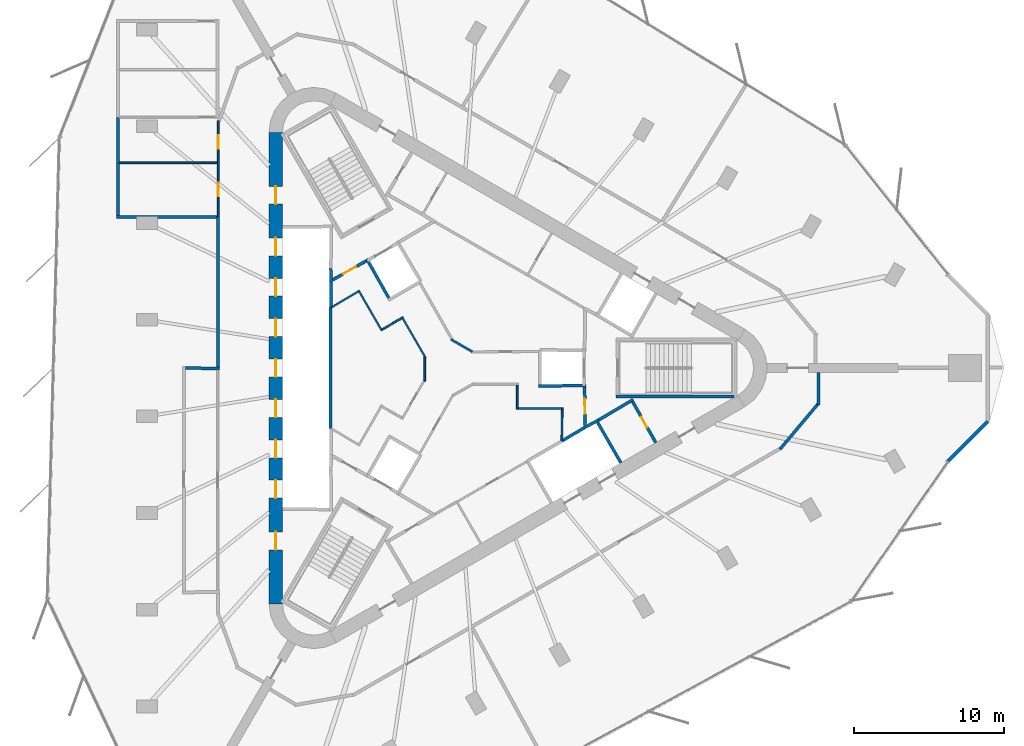
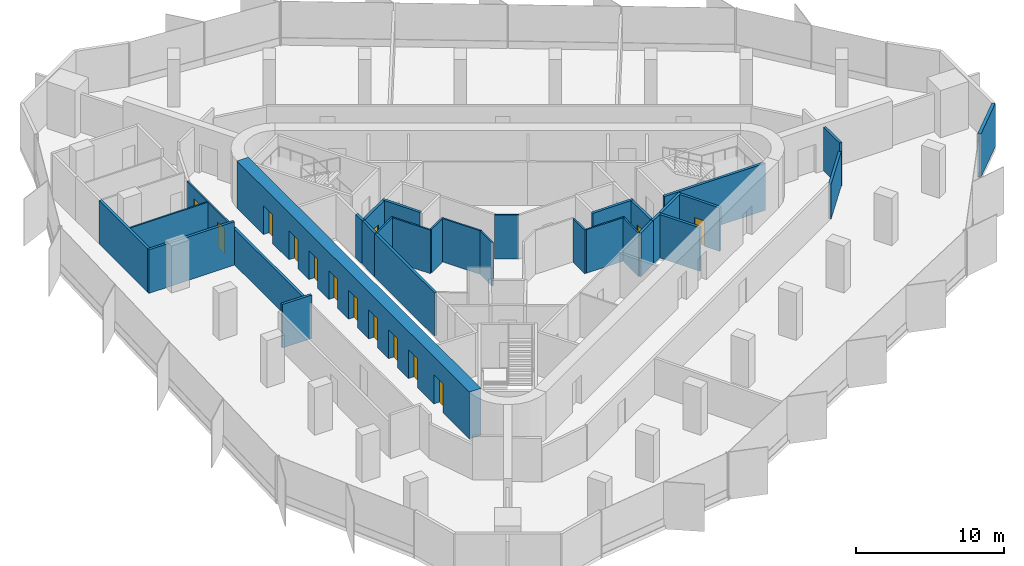
# One storey, part 9 of 13: 32 walls, 14 doors, 14 openings.
"""IFC4 building model written with IfcOpenShell, lengths in metres."""

from ifc_helpers import new_model, si_unit, direction, frame, frame_2d, origin, place, context, subcontext, project, spatial, rectangle, extrude, material, layer, layer_set, type_object, element, fill, save


model = new_model("IFC4")

# Units and contexts
model_context = context("Model", 3, precision=1e-05, world=origin(), true_north=direction((0.0, 1.0)))
body_context = subcontext(model_context, "Body", "Model", "MODEL_VIEW")
ifc_project = project(units=[si_unit("LENGTHUNIT", "METRE"), si_unit("AREAUNIT", "SQUARE_METRE"), si_unit("VOLUMEUNIT", "CUBIC_METRE"), si_unit("PLANEANGLEUNIT", "RADIAN"), si_unit("MASSUNIT", "GRAM", prefix="KILO")], contexts=[model_context])

# Site, building, storey
site_placement = place(None, origin())
site = spatial("IfcSite", under=ifc_project, at=site_placement, CompositionType="ELEMENT")
building_placement = place(site_placement, origin())
building = spatial("IfcBuilding", under=site, at=building_placement, Name="Tanit Gate Tower", CompositionType="ELEMENT")
storey_placement = place(building_placement, frame((0.0, 0.0, 329.89990234375)))
storey = spatial("IfcBuildingStorey", under=building, at=storey_placement, Name="L74", CompositionType="ELEMENT", Elevation=329.89990234375)

# Wall, openings, doors
ifc_material_1 = material(Name="Concrete C40/50", Category="concrete")
ifc_layer_1 = layer(ifc_material_1, 0.89990234375)
ifc_layer_set_1 = layer_set([ifc_layer_1], Name="CORE WALL 900 C40/50")
wall_type_1 = type_object("IfcWallType", Name="CORE WALL 900 C40/50", PredefinedType="SHEAR", material=ifc_layer_set_1)
wall_1_placement = place(storey_placement, frame((-11.64990234375, 15.76171875, 0.0), z_axis=(0.0, 0.0, 1.0), x_axis=(0.0, -1.0, 0.0)))
wall_1 = element("IfcWall", 1, at=wall_1_placement, inside=storey, type_object=wall_type_1, Name="CORE WALL", PredefinedType="SHEAR", context=body_context, shape_type="SweptSolid", body=[
    extrude(rectangle(XDim=31.5234375, YDim=0.89990234375, at=frame_2d((15.76171875, 0.0))), origin(), (0.0, 0.0, 1.0), 3.900146484375),
])
opening_1_placement = place(wall_1_placement, frame((7.061767578125, 0.0, 0.0)))
opening_1 = element("IfcOpeningElement", 2, at=opening_1_placement, cuts=wall_1, Name="Opening LDHL1-S20", PredefinedType="OPENING", context=body_context, shape_type="SweptSolid", body=[
    extrude(rectangle(XDim=1.199951171875, YDim=2.39990234375, at=frame_2d((0.60009765625, 1.199951171875))), frame((0.0, 0.4599609375, 0.0), z_axis=(0.0, -1.0, 0.0), x_axis=(1.0, 0.0, 0.0)), (0.0, 0.0, 1.0), 0.919921875),
])
opening_2_placement = place(wall_1_placement, frame((9.76171875, 0.0, 0.0)))
opening_2 = element("IfcOpeningElement", 3, at=opening_2_placement, cuts=wall_1, Name="Opening LDHL2-S20", PredefinedType="OPENING", context=body_context, shape_type="SweptSolid", body=[
    extrude(rectangle(XDim=1.199951171875, YDim=2.39990234375, at=frame_2d((0.60009765625, 1.199951171875))), frame((0.0, 0.4599609375, 0.0), z_axis=(0.0, -1.0, 0.0), x_axis=(1.0, 0.0, 0.0)), (0.0, 0.0, 1.0), 0.919921875),
])
opening_3_placement = place(wall_1_placement, frame((12.461669921875, 0.0, 0.0)))
opening_3 = element("IfcOpeningElement", 4, at=opening_3_placement, cuts=wall_1, Name="Opening LDHL3-S20", PredefinedType="OPENING", context=body_context, shape_type="SweptSolid", body=[
    extrude(rectangle(XDim=1.199951171875, YDim=2.39990234375, at=frame_2d((0.60009765625, 1.199951171875))), frame((0.0, 0.4599609375, 0.0), z_axis=(0.0, -1.0, 0.0), x_axis=(1.0, 0.0, 0.0)), (0.0, 0.0, 1.0), 0.919921875),
])
opening_4_placement = place(wall_1_placement, frame((15.16162109375, 0.0, 0.0)))
opening_4 = element("IfcOpeningElement", 5, at=opening_4_placement, cuts=wall_1, Name="Opening LDHL4-S20", PredefinedType="OPENING", context=body_context, shape_type="SweptSolid", body=[
    extrude(rectangle(XDim=1.199951171875, YDim=2.39990234375, at=frame_2d((0.60009765625, 1.199951171875))), frame((0.0, 0.4599609375, 0.0), z_axis=(0.0, -1.0, 0.0), x_axis=(1.0, 0.0, 0.0)), (0.0, 0.0, 1.0), 0.919921875),
])
opening_5_placement = place(wall_1_placement, frame((17.86181640625, 0.0, 0.0)))
opening_5 = element("IfcOpeningElement", 6, at=opening_5_placement, cuts=wall_1, Name="Opening LDHL5-S20", PredefinedType="OPENING", context=body_context, shape_type="SweptSolid", body=[
    extrude(rectangle(XDim=1.199951171875, YDim=2.39990234375, at=frame_2d((0.60009765625, 1.199951171875))), frame((0.0, 0.4599609375, 0.0), z_axis=(0.0, -1.0, 0.0), x_axis=(1.0, 0.0, 0.0)), (0.0, 0.0, 1.0), 0.919921875),
])
opening_6_placement = place(wall_1_placement, frame((20.561767578125, 0.0, 0.0)))
opening_6 = element("IfcOpeningElement", 7, at=opening_6_placement, cuts=wall_1, Name="Opening LDHL6-S20", PredefinedType="OPENING", context=body_context, shape_type="SweptSolid", body=[
    extrude(rectangle(XDim=1.199951171875, YDim=2.39990234375, at=frame_2d((0.60009765625, 1.199951171875))), frame((0.0, 0.4599609375, 0.0), z_axis=(0.0, -1.0, 0.0), x_axis=(1.0, 0.0, 0.0)), (0.0, 0.0, 1.0), 0.919921875),
])
opening_7_placement = place(wall_1_placement, frame((23.26171875, 0.0, 0.0)))
opening_7 = element("IfcOpeningElement", 8, at=opening_7_placement, cuts=wall_1, Name="Opening LDHL7-S20", PredefinedType="OPENING", context=body_context, shape_type="SweptSolid", body=[
    extrude(rectangle(XDim=1.199951171875, YDim=2.39990234375, at=frame_2d((0.60009765625, 1.199951171875))), frame((0.0, 0.4599609375, 0.0), z_axis=(0.0, -1.0, 0.0), x_axis=(1.0, 0.0, 0.0)), (0.0, 0.0, 1.0), 0.919921875),
])
opening_8_placement = place(wall_1_placement, frame((3.61181640625, 0.0, 0.0)))
opening_8 = element("IfcOpeningElement", 9, at=opening_8_placement, cuts=wall_1, Name="Opening F12-S20-FL2", PredefinedType="OPENING", context=body_context, shape_type="SweptSolid", body=[
    extrude(rectangle(XDim=1.199951171875, YDim=2.39990234375, at=frame_2d((0.60009765625, 1.199951171875))), frame((0.0, 0.4599609375, 0.0), z_axis=(0.0, -1.0, 0.0), x_axis=(1.0, 0.0, 0.0)), (0.0, 0.0, 1.0), 0.919921875),
])
opening_9_placement = place(wall_1_placement, frame((26.711669921875, 0.0, 0.0)))
opening_9 = element("IfcOpeningElement", 10, at=opening_9_placement, cuts=wall_1, Name="Opening F12-S20-S3", PredefinedType="OPENING", context=body_context, shape_type="SweptSolid", body=[
    extrude(rectangle(XDim=1.199951171875, YDim=2.39990234375, at=frame_2d((0.60009765625, 1.199951171875))), frame((0.0, 0.4599609375, 0.0), z_axis=(0.0, -1.0, 0.0), x_axis=(1.0, 0.0, 0.0)), (0.0, 0.0, 1.0), 0.919921875),
])
ifc_material_2 = material(Name="Fire-rated steel door leaf", Category="steel")
door_type_1 = type_object("IfcDoorType", Name="INT-DOOR-FIRE-LOBBY-1200", OperationType="NOTDEFINED", PredefinedType="USERDEFINED", material=ifc_material_2)
door_1_placement = place(opening_8_placement, origin())
door_1 = element("IfcDoor", 11, at=door_1_placement, inside=storey, type_object=door_type_1, Name="Door F12-S20-FL2", ObjectType="FIRE DOOR", OperationType="SINGLE_SWING_LEFT", OverallHeight=2.39990234375, OverallWidth=1.199951171875, PredefinedType="USERDEFINED", context=body_context, shape_type="SweptSolid", body=[
    extrude(rectangle(XDim=1.199951171875, YDim=2.39990234375, at=frame_2d((0.60009765625, 1.199951171875))), frame((0.0, 0.02490234375, 0.0), z_axis=(0.0, -1.0, 0.0), x_axis=(1.0, 0.0, 0.0)), (0.0, 0.0, 1.0), 0.050048828125),
])
fill(opening_8, door_1)
door_2_placement = place(opening_9_placement, origin())
door_2 = element("IfcDoor", 12, at=door_2_placement, inside=storey, type_object=door_type_1, Name="Door F12-S20-S3", ObjectType="FIRE DOOR", OperationType="SINGLE_SWING_RIGHT", OverallHeight=2.39990234375, OverallWidth=1.199951171875, PredefinedType="USERDEFINED", context=body_context, shape_type="SweptSolid", body=[
    extrude(rectangle(XDim=1.199951171875, YDim=2.39990234375, at=frame_2d((0.60009765625, 1.199951171875))), frame((0.0, 0.02490234375, 0.0), z_axis=(0.0, -1.0, 0.0), x_axis=(1.0, 0.0, 0.0)), (0.0, 0.0, 1.0), 0.050048828125),
])
fill(opening_9, door_2)
ifc_material_3 = material(Name="Stainless steel sliding door leaf", Category="steel")
door_type_2 = type_object("IfcDoorType", Name="INT-DOOR-LANDING-1200", OperationType="NOTDEFINED", PredefinedType="USERDEFINED", material=ifc_material_3)
door_3_placement = place(opening_1_placement, origin())
door_3 = element("IfcDoor", 13, at=door_3_placement, inside=storey, type_object=door_type_2, Name="Door LDHL1-S20", ObjectType="LANDING DOOR", OperationType="SLIDING_TO_LEFT", OverallHeight=2.39990234375, OverallWidth=1.199951171875, PredefinedType="USERDEFINED", context=body_context, shape_type="SweptSolid", body=[
    extrude(rectangle(XDim=1.199951171875, YDim=2.39990234375, at=frame_2d((0.60009765625, 1.199951171875))), frame((0.0, 0.02490234375, 0.0), z_axis=(0.0, -1.0, 0.0), x_axis=(1.0, 0.0, 0.0)), (0.0, 0.0, 1.0), 0.050048828125),
])
fill(opening_1, door_3)
door_4_placement = place(opening_2_placement, origin())
door_4 = element("IfcDoor", 14, at=door_4_placement, inside=storey, type_object=door_type_2, Name="Door LDHL2-S20", ObjectType="LANDING DOOR", OperationType="SLIDING_TO_LEFT", OverallHeight=2.39990234375, OverallWidth=1.199951171875, PredefinedType="USERDEFINED", context=body_context, shape_type="SweptSolid", body=[
    extrude(rectangle(XDim=1.199951171875, YDim=2.39990234375, at=frame_2d((0.60009765625, 1.199951171875))), frame((0.0, 0.02490234375, 0.0), z_axis=(0.0, -1.0, 0.0), x_axis=(1.0, 0.0, 0.0)), (0.0, 0.0, 1.0), 0.050048828125),
])
fill(opening_2, door_4)
door_5_placement = place(opening_3_placement, origin())
door_5 = element("IfcDoor", 15, at=door_5_placement, inside=storey, type_object=door_type_2, Name="Door LDHL3-S20", ObjectType="LANDING DOOR", OperationType="SLIDING_TO_LEFT", OverallHeight=2.39990234375, OverallWidth=1.199951171875, PredefinedType="USERDEFINED", context=body_context, shape_type="SweptSolid", body=[
    extrude(rectangle(XDim=1.199951171875, YDim=2.39990234375, at=frame_2d((0.60009765625, 1.199951171875))), frame((0.0, 0.02490234375, 0.0), z_axis=(0.0, -1.0, 0.0), x_axis=(1.0, 0.0, 0.0)), (0.0, 0.0, 1.0), 0.050048828125),
])
fill(opening_3, door_5)
door_6_placement = place(opening_4_placement, origin())
door_6 = element("IfcDoor", 16, at=door_6_placement, inside=storey, type_object=door_type_2, Name="Door LDHL4-S20", ObjectType="LANDING DOOR", OperationType="SLIDING_TO_LEFT", OverallHeight=2.39990234375, OverallWidth=1.199951171875, PredefinedType="USERDEFINED", context=body_context, shape_type="SweptSolid", body=[
    extrude(rectangle(XDim=1.199951171875, YDim=2.39990234375, at=frame_2d((0.60009765625, 1.199951171875))), frame((0.0, 0.02490234375, 0.0), z_axis=(0.0, -1.0, 0.0), x_axis=(1.0, 0.0, 0.0)), (0.0, 0.0, 1.0), 0.050048828125),
])
fill(opening_4, door_6)
door_7_placement = place(opening_5_placement, origin())
door_7 = element("IfcDoor", 17, at=door_7_placement, inside=storey, type_object=door_type_2, Name="Door LDHL5-S20", ObjectType="LANDING DOOR", OperationType="SLIDING_TO_LEFT", OverallHeight=2.39990234375, OverallWidth=1.199951171875, PredefinedType="USERDEFINED", context=body_context, shape_type="SweptSolid", body=[
    extrude(rectangle(XDim=1.199951171875, YDim=2.39990234375, at=frame_2d((0.60009765625, 1.199951171875))), frame((0.0, 0.02490234375, 0.0), z_axis=(0.0, -1.0, 0.0), x_axis=(1.0, 0.0, 0.0)), (0.0, 0.0, 1.0), 0.050048828125),
])
fill(opening_5, door_7)
door_8_placement = place(opening_6_placement, origin())
door_8 = element("IfcDoor", 18, at=door_8_placement, inside=storey, type_object=door_type_2, Name="Door LDHL6-S20", ObjectType="LANDING DOOR", OperationType="SLIDING_TO_LEFT", OverallHeight=2.39990234375, OverallWidth=1.199951171875, PredefinedType="USERDEFINED", context=body_context, shape_type="SweptSolid", body=[
    extrude(rectangle(XDim=1.199951171875, YDim=2.39990234375, at=frame_2d((0.60009765625, 1.199951171875))), frame((0.0, 0.02490234375, 0.0), z_axis=(0.0, -1.0, 0.0), x_axis=(1.0, 0.0, 0.0)), (0.0, 0.0, 1.0), 0.050048828125),
])
fill(opening_6, door_8)
door_9_placement = place(opening_7_placement, origin())
door_9 = element("IfcDoor", 19, at=door_9_placement, inside=storey, type_object=door_type_2, Name="Door LDHL7-S20", ObjectType="LANDING DOOR", OperationType="SLIDING_TO_LEFT", OverallHeight=2.39990234375, OverallWidth=1.199951171875, PredefinedType="USERDEFINED", context=body_context, shape_type="SweptSolid", body=[
    extrude(rectangle(XDim=1.199951171875, YDim=2.39990234375, at=frame_2d((0.60009765625, 1.199951171875))), frame((0.0, 0.02490234375, 0.0), z_axis=(0.0, -1.0, 0.0), x_axis=(1.0, 0.0, 0.0)), (0.0, 0.0, 1.0), 0.050048828125),
])
fill(opening_7, door_9)

# Walls
ifc_material_4 = material(Name="Concrete C30/37 with bronze anodised aluminium cladding", Category="concrete")
ifc_layer_2 = layer(ifc_material_4, 0.239990234375)
ifc_layer_set_2 = layer_set([ifc_layer_2], Name="Facade wall bronze clad 240")
wall_type_2 = type_object("IfcWallType", Name="Facade wall bronze clad 240", PredefinedType="SOLIDWALL", material=ifc_layer_set_2)
wall_2_placement = place(storey_placement, frame((33.29638671875, -6.238037109375, 0.0), z_axis=(0.0, 0.0, 1.0), x_axis=(0.707106781187, 0.707106781187, 0.0)))
element("IfcWall", 20, at=wall_2_placement, inside=storey, type_object=wall_type_2, Name="Bronze-clad facade wall L74 E.arc1", PredefinedType="SOLIDWALL", context=body_context, shape_type="SweptSolid", body=[
    extrude(rectangle(XDim=3.75341796875, YDim=0.239990234375, at=frame_2d((1.876708984375, 0.0))), origin(), (0.0, 0.0, 1.0), 3.60009765625),
])
ifc_material_5 = material(Name="Fire-rated gypsum board partition")
ifc_layer_3 = layer(ifc_material_5, 0.199951171875)
ifc_layer_set_3 = layer_set([ifc_layer_3], Name="INT-WALL-COMPARTMENT")
wall_type_3 = type_object("IfcWallType", Name="INT-WALL-COMPARTMENT", PredefinedType="PARTITIONING", material=ifc_layer_set_3)
wall_3_placement = place(storey_placement, frame((12.244873046875, -2.10888671875, 0.0), z_axis=(0.0, 0.0, 1.0), x_axis=(-0.860414880418, -0.509594185166, 0.0)))
element("IfcWall", 21, at=wall_3_placement, inside=storey, type_object=wall_type_3, Name="Wall Compartment W057", PredefinedType="PARTITIONING", context=body_context, shape_type="SweptSolid", body=[
    extrude(rectangle(XDim=2.7001953125, YDim=0.199951171875, at=frame_2d((1.35009765625, 0.0))), origin(), (0.0, 0.0, 1.0), 3.60009765625),
])

# Wall, opening, door
wall_4_placement = place(storey_placement, frame((13.758056640625, -4.989501953125, 0.0), z_axis=(0.0, 0.0, 1.0), x_axis=(-0.491993409184, 0.87059892334, 0.0)))
wall_4 = element("IfcWall", 22, at=wall_4_placement, inside=storey, type_object=wall_type_3, Name="Wall Compartment W058", PredefinedType="PARTITIONING", context=body_context, shape_type="SweptSolid", body=[
    extrude(rectangle(XDim=3.150146484375, YDim=0.199951171875, at=frame_2d((1.5751953125, 0.0))), origin(), (0.0, 0.0, 1.0), 3.60009765625),
])
opening_10_placement = place(wall_4_placement, frame((1.175048828125, 0.0, 0.0)))
opening_10 = element("IfcOpeningElement", 23, at=opening_10_placement, cuts=wall_4, Name="Opening R08-S20-17", PredefinedType="OPENING", context=body_context, shape_type="SweptSolid", body=[
    extrude(rectangle(XDim=0.800048828125, YDim=2.10009765625, at=frame_2d((0.39990234375, 1.050048828125))), frame((0.0, 0.10986328125, 0.0), z_axis=(0.0, -1.0, 0.0), x_axis=(1.0, 0.0, 0.0)), (0.0, 0.0, 1.0), 0.219970703125),
])
ifc_material_6 = material(Name="Timber door leaf", Category="wood")
door_type_3 = type_object("IfcDoorType", Name="INT-DOOR-RISER-800", OperationType="NOTDEFINED", PredefinedType="USERDEFINED", material=ifc_material_6)
door_10_placement = place(opening_10_placement, origin())
door_10 = element("IfcDoor", 24, at=door_10_placement, inside=storey, type_object=door_type_3, Name="Door R08-S20-17", ObjectType="FIRE DOOR", OperationType="SINGLE_SWING_RIGHT", OverallHeight=2.10009765625, OverallWidth=0.800048828125, PredefinedType="USERDEFINED", context=body_context, shape_type="SweptSolid", body=[
    extrude(rectangle(XDim=0.800048828125, YDim=2.10009765625, at=frame_2d((0.39990234375, 1.050048828125))), frame((0.0, 0.02490234375, 0.0), z_axis=(0.0, -1.0, 0.0), x_axis=(1.0, 0.0, 0.0)), (0.0, 0.0, 1.0), 0.050048828125),
])
fill(opening_10, door_10)

wall_5_placement = place(storey_placement, frame((9.02880859375, -3.850830078125, 0.0), z_axis=(0.0, 0.0, 1.0), x_axis=(-0.010783593937, 0.99994185536, 0.0)))
wall_5 = element("IfcWall", 25, at=wall_5_placement, inside=storey, type_object=wall_type_3, Name="Wall Compartment W060", PredefinedType="PARTITIONING", context=body_context, shape_type="SweptSolid", body=[
    extrude(rectangle(XDim=2.5810546875, YDim=0.199951171875, at=frame_2d((1.29052734375, 0.0))), origin(), (0.0, 0.0, 1.0), 3.60009765625),
])
opening_11_placement = place(wall_5_placement, frame((0.79052734375, 0.0, 0.0)))
opening_11 = element("IfcOpeningElement", 26, at=opening_11_placement, cuts=wall_5, Name="Opening F10-S20-02", PredefinedType="OPENING", context=body_context, shape_type="SweptSolid", body=[
    extrude(rectangle(XDim=1.0, YDim=2.10009765625, at=frame_2d((0.5, 1.050048828125))), frame((0.0, 0.10986328125, 0.0), z_axis=(0.0, -1.0, 0.0), x_axis=(1.0, 0.0, 0.0)), (0.0, 0.0, 1.0), 0.219970703125),
])
ifc_material_7 = material(Name="Fire-rated steel door leaf", Category="steel")
door_type_4 = type_object("IfcDoorType", Name="INT-DOOR-FIRE-1000", OperationType="NOTDEFINED", PredefinedType="USERDEFINED", material=ifc_material_7)
door_11_placement = place(opening_11_placement, origin())
door_11 = element("IfcDoor", 27, at=door_11_placement, inside=storey, type_object=door_type_4, Name="Door F10-S20-02", ObjectType="FIRE DOOR", OperationType="SINGLE_SWING_RIGHT", OverallHeight=2.10009765625, OverallWidth=1.0, PredefinedType="USERDEFINED", context=body_context, shape_type="SweptSolid", body=[
    extrude(rectangle(XDim=1.0, YDim=2.10009765625, at=frame_2d((0.5, 1.050048828125))), frame((0.0, 0.02490234375, 0.0), z_axis=(0.0, -1.0, 0.0), x_axis=(1.0, 0.0, 0.0)), (0.0, 0.0, 1.0), 0.050048828125),
])
fill(opening_11, door_11)

wall_6_placement = place(storey_placement, frame((-5.600341796875, 7.16015625, 0.0), z_axis=(0.0, 0.0, 1.0), x_axis=(-0.871363259478, -0.490638431059, 0.0)))
wall_6 = element("IfcWall", 28, at=wall_6_placement, inside=storey, type_object=wall_type_3, Name="Wall Compartment W062", PredefinedType="PARTITIONING", context=body_context, shape_type="SweptSolid", body=[
    extrude(rectangle(XDim=2.5810546875, YDim=0.199951171875, at=frame_2d((1.29052734375, 0.0))), origin(), (0.0, 0.0, 1.0), 3.60009765625),
])
opening_12_placement = place(wall_6_placement, frame((0.79052734375, 0.0, 0.0)))
opening_12 = element("IfcOpeningElement", 29, at=opening_12_placement, cuts=wall_6, Name="Opening F10-S20-05", PredefinedType="OPENING", context=body_context, shape_type="SweptSolid", body=[
    extrude(rectangle(XDim=1.0, YDim=2.10009765625, at=frame_2d((0.5, 1.050048828125))), frame((0.0, 0.10986328125, 0.0), z_axis=(0.0, -1.0, 0.0), x_axis=(1.0, 0.0, 0.0)), (0.0, 0.0, 1.0), 0.219970703125),
])
door_12_placement = place(opening_12_placement, origin())
door_12 = element("IfcDoor", 30, at=door_12_placement, inside=storey, type_object=door_type_4, Name="Door F10-S20-05", ObjectType="FIRE DOOR", OperationType="SINGLE_SWING_RIGHT", OverallHeight=2.10009765625, OverallWidth=1.0, PredefinedType="USERDEFINED", context=body_context, shape_type="SweptSolid", body=[
    extrude(rectangle(XDim=1.0, YDim=2.10009765625, at=frame_2d((0.5, 1.050048828125))), frame((0.0, 0.02490234375, 0.0), z_axis=(0.0, -1.0, 0.0), x_axis=(1.0, 0.0, 0.0)), (0.0, 0.0, 1.0), 0.050048828125),
])
fill(opening_12, door_12)

# Walls
wall_7_placement = place(storey_placement, frame((-15.39990234375, -0.03125, 0.0), z_axis=(0.0, 0.0, 1.0), x_axis=(-0.999914782125, 0.013054826261, 0.0)))
element("IfcWall", 31, at=wall_7_placement, inside=storey, type_object=wall_type_3, Name="Wall Compartment W086", PredefinedType="PARTITIONING", context=body_context, shape_type="SweptSolid", body=[
    extrude(rectangle(XDim=2.30029296875, YDim=0.199951171875, at=frame_2d((1.150146484375, 0.0))), origin(), (0.0, 0.0, 1.0), 3.60009765625),
])
wall_8_placement = place(storey_placement, frame((-15.5, 10.199951171875, 0.0), z_axis=(0.0, 0.0, 1.0), x_axis=(0.0, -1.0, 0.0)))
element("IfcWall", 32, at=wall_8_placement, inside=storey, type_object=wall_type_3, Name="Wall Compartment W090", PredefinedType="PARTITIONING", context=body_context, shape_type="SweptSolid", body=[
    extrude(rectangle(XDim=10.1298828125, YDim=0.199951171875, at=frame_2d((5.06494140625, 0.0))), origin(), (0.0, 0.0, 1.0), 2.97021484375),
])
wall_9_placement = place(storey_placement, frame((24.647705078125, -2.46240234375, 0.0), z_axis=(0.0, 0.0, 1.0), x_axis=(-0.012757232068, 0.999918623204, 0.0)))
element("IfcWall", 33, at=wall_9_placement, inside=storey, type_object=wall_type_3, Name="Wall Compartment W102", PredefinedType="PARTITIONING", context=body_context, shape_type="SweptSolid", body=[
    extrude(rectangle(XDim=2.16259765625, YDim=0.199951171875, at=frame_2d((1.081298828125, 0.0))), origin(), (0.0, 0.0, 1.0), 3.60009765625),
])
wall_10_placement = place(storey_placement, frame((22.05419921875, -5.435302734375, 0.0), z_axis=(0.0, 0.0, 1.0), x_axis=(0.642790979996, 0.766041615081, 0.0)))
element("IfcWall", 34, at=wall_10_placement, inside=storey, type_object=wall_type_3, Name="Wall Compartment W103", PredefinedType="PARTITIONING", context=body_context, shape_type="SweptSolid", body=[
    extrude(rectangle(XDim=3.9833984375, YDim=0.199951171875, at=frame_2d((1.99169921875, 0.0))), origin(), (0.0, 0.0, 1.0), 2.880126953125),
])
wall_11_placement = place(storey_placement, frame((-22.199951171875, 16.76171875, 0.0), z_axis=(0.0, 0.0, 1.0), x_axis=(0.0, -1.0, 0.0)))
element("IfcWall", 35, at=wall_11_placement, inside=storey, type_object=wall_type_3, Name="Wall Compartment W114", PredefinedType="PARTITIONING", context=body_context, shape_type="SweptSolid", body=[
    extrude(rectangle(XDim=6.561767578125, YDim=0.199951171875, at=frame_2d((3.28076171875, 0.0))), origin(), (0.0, 0.0, 1.0), 3.60009765625),
])
wall_12_placement = place(storey_placement, frame((-15.60009765625, 10.10009765625, 0.0), z_axis=(0.0, 0.0, 1.0), x_axis=(-1.0, 0.0, 0.0)))
element("IfcWall", 36, at=wall_12_placement, inside=storey, type_object=wall_type_3, Name="Wall Compartment W113", PredefinedType="PARTITIONING", context=body_context, shape_type="SweptSolid", body=[
    extrude(rectangle(XDim=6.699951171875, YDim=0.199951171875, at=frame_2d((3.35009765625, 0.0))), origin(), (0.0, 0.0, 1.0), 3.60009765625),
])
ifc_material_8 = material(Name="Gypsum board partition")
ifc_layer_4 = layer(ifc_material_8, 0.1201171875)
ifc_layer_set_4 = layer_set([ifc_layer_4], Name="INT-WALL-PARTITION")
wall_type_4 = type_object("IfcWallType", Name="INT-WALL-PARTITION", PredefinedType="PARTITIONING", material=ifc_layer_set_4)
wall_13_placement = place(storey_placement, frame((4.5, -2.760009765625, 0.0), z_axis=(0.0, 0.0, 1.0), x_axis=(0.0, 1.0, 0.0)))
element("IfcWall", 37, at=wall_13_placement, inside=storey, type_object=wall_type_4, Name="Wall Partition W071", PredefinedType="PARTITIONING", context=body_context, shape_type="SweptSolid", body=[
    extrude(rectangle(XDim=1.625, YDim=0.1201171875, at=frame_2d((0.8125, 0.0))), origin(), (0.0, 0.0, 1.0), 3.60009765625),
])
wall_14_placement = place(storey_placement, frame((7.56005859375, -2.699951171875, 0.0), z_axis=(0.0, 0.0, 1.0), x_axis=(-1.0, 0.0, 0.0)))
element("IfcWall", 38, at=wall_14_placement, inside=storey, type_object=wall_type_4, Name="Wall Partition W072", PredefinedType="PARTITIONING", context=body_context, shape_type="SweptSolid", body=[
    extrude(rectangle(XDim=3.0, YDim=0.1201171875, at=frame_2d((1.5, 0.0))), origin(), (0.0, 0.0, 1.0), 3.60009765625),
])
wall_15_placement = place(storey_placement, frame((7.474609375, -4.864501953125, 0.0), z_axis=(0.0, 0.0, 1.0), x_axis=(0.011716133148, 0.999931363757, 0.0)))
element("IfcWall", 39, at=wall_15_placement, inside=storey, type_object=wall_type_4, Name="Wall Partition W073", PredefinedType="PARTITIONING", context=body_context, shape_type="SweptSolid", body=[
    extrude(rectangle(XDim=2.104736328125, YDim=0.1201171875, at=frame_2d((1.05224609375, 0.0))), origin(), (0.0, 0.0, 1.0), 3.60009765625),
])
wall_16_placement = place(storey_placement, frame((-6.03662109375, 5.17578125, 0.0), z_axis=(0.0, 0.0, 1.0), x_axis=(-0.860106072674, -0.510115225953, 0.0)))
element("IfcWall", 40, at=wall_16_placement, inside=storey, type_object=wall_type_4, Name="Wall Partition W074", PredefinedType="PARTITIONING", context=body_context, shape_type="SweptSolid", body=[
    extrude(rectangle(XDim=2.224609375, YDim=0.1201171875, at=frame_2d((1.1123046875, 0.0))), origin(), (0.0, 0.0, 1.0), 3.60009765625),
])
wall_17_placement = place(storey_placement, frame((-4.558349609375, 2.4951171875, 0.0), z_axis=(0.0, 0.0, 1.0), x_axis=(-0.499990139034, 0.866031096941, 0.0)))
element("IfcWall", 41, at=wall_17_placement, inside=storey, type_object=wall_type_4, Name="Wall Partition W075", PredefinedType="PARTITIONING", context=body_context, shape_type="SweptSolid", body=[
    extrude(rectangle(XDim=3.0, YDim=0.1201171875, at=frame_2d((1.5, 0.0))), origin(), (0.0, 0.0, 1.0), 3.60009765625),
])
wall_18_placement = place(storey_placement, frame((-3.12890625, 3.3896484375, 0.0), z_axis=(0.0, 0.0, 1.0), x_axis=(-0.866053003207, -0.499952193351, 0.0)))
element("IfcWall", 42, at=wall_18_placement, inside=storey, type_object=wall_type_4, Name="Wall Partition W076", PredefinedType="PARTITIONING", context=body_context, shape_type="SweptSolid", body=[
    extrude(rectangle(XDim=1.625244140625, YDim=0.1201171875, at=frame_2d((0.8125, 0.0))), origin(), (0.0, 0.0, 1.0), 3.60009765625),
])
wall_19_placement = place(storey_placement, frame((-1.63671875, 0.68505859375, 0.0), z_axis=(0.0, 0.0, 1.0), x_axis=(-0.500006252586, 0.866021793822, 0.0)))
element("IfcWall", 43, at=wall_19_placement, inside=storey, type_object=wall_type_4, Name="Wall Partition W077", PredefinedType="PARTITIONING", context=body_context, shape_type="SweptSolid", body=[
    extrude(rectangle(XDim=3.0283203125, YDim=0.1201171875, at=frame_2d((1.51416015625, 0.0))), origin(), (0.0, 0.0, 1.0), 3.60009765625),
])
wall_20_placement = place(storey_placement, frame((-1.688720703125, -0.87890625, 0.0), z_axis=(0.0, 0.0, 1.0), x_axis=(0.0, 1.0, 0.0)))
element("IfcWall", 44, at=wall_20_placement, inside=storey, type_object=wall_type_4, Name="Wall Partition W078", PredefinedType="PARTITIONING", context=body_context, shape_type="SweptSolid", body=[
    extrude(rectangle(XDim=1.63525390625, YDim=0.1201171875, at=frame_2d((0.817626953125, 0.0))), origin(), (0.0, 0.0, 1.0), 3.60009765625),
])

# Wall, openings, doors
wall_21_placement = place(storey_placement, frame((-15.5, 16.53759765625, 0.0), z_axis=(0.0, 0.0, 1.0), x_axis=(0.0, -1.0, 0.0)))
wall_21 = element("IfcWall", 45, at=wall_21_placement, inside=storey, type_object=wall_type_4, Name="Wall Partition W094", PredefinedType="PARTITIONING", context=body_context, shape_type="SweptSolid", body=[
    extrude(rectangle(XDim=6.40771484375, YDim=0.1201171875, at=frame_2d((3.203857421875, 0.0))), origin(), (0.0, 0.0, 1.0), 2.97021484375),
])
opening_13_placement = place(wall_21_placement, frame((4.1455078125, 0.0, 0.0)))
opening_13 = element("IfcOpeningElement", 46, at=opening_13_placement, cuts=wall_21, Name="Opening D09-S20-19", PredefinedType="OPENING", context=body_context, shape_type="SweptSolid", body=[
    extrude(rectangle(XDim=0.89990234375, YDim=2.10009765625, at=frame_2d((0.449951171875, 1.050048828125))), frame((0.0, 0.070068359375, 0.0), z_axis=(0.0, -1.0, 0.0), x_axis=(1.0, 0.0, 0.0)), (0.0, 0.0, 1.0), 0.14013671875),
])
opening_14_placement = place(wall_21_placement, frame((0.990234375, 0.0, 0.0)))
opening_14 = element("IfcOpeningElement", 47, at=opening_14_placement, cuts=wall_21, Name="Opening D09-S20-20", PredefinedType="OPENING", context=body_context, shape_type="SweptSolid", body=[
    extrude(rectangle(XDim=0.89990234375, YDim=2.10009765625, at=frame_2d((0.449951171875, 1.050048828125))), frame((0.0, 0.070068359375, 0.0), z_axis=(0.0, -1.0, 0.0), x_axis=(1.0, 0.0, 0.0)), (0.0, 0.0, 1.0), 0.14013671875),
])
ifc_material_9 = material(Name="Timber door leaf", Category="wood")
door_type_5 = type_object("IfcDoorType", Name="INT-DOOR-SINGLE-900", OperationType="NOTDEFINED", PredefinedType="NOTDEFINED", material=ifc_material_9)
door_13_placement = place(opening_13_placement, origin())
door_13 = element("IfcDoor", 48, at=door_13_placement, inside=storey, type_object=door_type_5, Name="Door D09-S20-19", OperationType="SINGLE_SWING_LEFT", OverallHeight=2.10009765625, OverallWidth=0.89990234375, PredefinedType="NOTDEFINED", context=body_context, shape_type="SweptSolid", body=[
    extrude(rectangle(XDim=0.89990234375, YDim=2.10009765625, at=frame_2d((0.449951171875, 1.050048828125))), frame((0.0, 0.02490234375, 0.0), z_axis=(0.0, -1.0, 0.0), x_axis=(1.0, 0.0, 0.0)), (0.0, 0.0, 1.0), 0.050048828125),
])
fill(opening_13, door_13)
door_14_placement = place(opening_14_placement, origin())
door_14 = element("IfcDoor", 49, at=door_14_placement, inside=storey, type_object=door_type_5, Name="Door D09-S20-20", OperationType="SINGLE_SWING_RIGHT", OverallHeight=2.10009765625, OverallWidth=0.89990234375, PredefinedType="NOTDEFINED", context=body_context, shape_type="SweptSolid", body=[
    extrude(rectangle(XDim=0.89990234375, YDim=2.10009765625, at=frame_2d((0.449951171875, 1.050048828125))), frame((0.0, 0.02490234375, 0.0), z_axis=(0.0, -1.0, 0.0), x_axis=(1.0, 0.0, 0.0)), (0.0, 0.0, 1.0), 0.050048828125),
])
fill(opening_14, door_14)

# Walls
wall_22_placement = place(storey_placement, frame((-15.530029296875, 13.72412109375, 0.0), z_axis=(0.0, 0.0, 1.0), x_axis=(-1.0, 0.0, 0.0)))
element("IfcWall", 50, at=wall_22_placement, inside=storey, type_object=wall_type_4, Name="Wall Partition W125", PredefinedType="PARTITIONING", context=body_context, shape_type="SweptSolid", body=[
    extrude(rectangle(XDim=6.570068359375, YDim=0.1201171875, at=frame_2d((3.28515625, 0.0))), origin(), (0.0, 0.0, 1.0), 2.97021484375),
])
ifc_material_10 = material(Name="Fire-rated gypsum board partition")
ifc_layer_5 = layer(ifc_material_10, 0.14990234375)
ifc_layer_set_5 = layer_set([ifc_layer_5], Name="INT-WALL-RISER")
wall_type_5 = type_object("IfcWallType", Name="INT-WALL-RISER", PredefinedType="PLUMBINGWALL", material=ifc_layer_set_5)
wall_23_placement = place(storey_placement, frame((0.0625, 1.9140625, 0.0), z_axis=(0.0, 0.0, 1.0), x_axis=(0.866018462269, -0.500012022864, 0.0)))
element("IfcWall", 51, at=wall_23_placement, inside=storey, type_object=wall_type_5, Name="Wall Riser W066", PredefinedType="PLUMBINGWALL", context=body_context, shape_type="SweptSolid", body=[
    extrude(rectangle(XDim=1.654296875, YDim=0.14990234375, at=frame_2d((0.8271484375, 0.0))), origin(), (0.0, 0.0, 1.0), 3.60009765625),
])
ifc_material_11 = material(Name="Gypsum shaft wall system")
ifc_layer_6 = layer(ifc_material_11, 0.199951171875)
ifc_layer_set_6 = layer_set([ifc_layer_6], Name="INT-WALL-SHAFT")
wall_type_6 = type_object("IfcWallType", Name="INT-WALL-SHAFT", PredefinedType="PLUMBINGWALL", material=ifc_layer_set_6)
wall_24_placement = place(storey_placement, frame((-7.97705078125, 6.650146484375, 0.0), z_axis=(0.0, 0.0, 1.0), x_axis=(0.030861509705, -0.999523670164, 0.0)))
element("IfcWall", 52, at=wall_24_placement, inside=storey, type_object=wall_type_6, Name="Wall Shaft W003", PredefinedType="PLUMBINGWALL", context=body_context, shape_type="SweptSolid", body=[
    extrude(rectangle(XDim=0.878173828125, YDim=0.199951171875, at=frame_2d((0.43896484375, 0.0))), origin(), (0.0, 0.0, 1.0), 3.60009765625),
])
wall_25_placement = place(storey_placement, frame((-7.94921875, 5.894775390625, 0.0), z_axis=(0.0, 0.0, 1.0), x_axis=(-0.012042535896, -0.999927486035, 0.0)))
element("IfcWall", 53, at=wall_25_placement, inside=storey, type_object=wall_type_6, Name="Wall Shaft W004", PredefinedType="PLUMBINGWALL", context=body_context, shape_type="SweptSolid", body=[
    extrude(rectangle(XDim=1.844970703125, YDim=0.199951171875, at=frame_2d((0.92236328125, 0.0))), origin(), (0.0, 0.0, 1.0), 3.60009765625),
])
wall_26_placement = place(storey_placement, frame((-7.97998046875, 4.050048828125, 0.0), z_axis=(0.0, 0.0, 1.0), x_axis=(0.0, -1.0, 0.0)))
element("IfcWall", 54, at=wall_26_placement, inside=storey, type_object=wall_type_6, Name="Wall Shaft W005", PredefinedType="PLUMBINGWALL", context=body_context, shape_type="SweptSolid", body=[
    extrude(rectangle(XDim=8.10009765625, YDim=0.199951171875, at=frame_2d((4.050048828125, 0.0))), origin(), (0.0, 0.0, 1.0), 3.60009765625),
])
wall_27_placement = place(storey_placement, frame((9.794677734375, -3.52490234375, 0.0), z_axis=(0.0, 0.0, 1.0), x_axis=(0.499984717929, -0.866034226713, 0.0)))
element("IfcWall", 55, at=wall_27_placement, inside=storey, type_object=wall_type_6, Name="Wall Shaft W017", PredefinedType="PLUMBINGWALL", context=body_context, shape_type="SweptSolid", body=[
    extrude(rectangle(XDim=3.25, YDim=0.199951171875, at=frame_2d((1.625, 0.0))), origin(), (0.0, 0.0, 1.0), 3.60009765625),
])
wall_28_placement = place(storey_placement, frame((8.97412109375, -3.998779296875, 0.0), z_axis=(0.0, 0.0, 1.0), x_axis=(0.880907015104, 0.473289373154, 0.0)))
element("IfcWall", 56, at=wall_28_placement, inside=storey, type_object=wall_type_6, Name="Wall Shaft W018", PredefinedType="PLUMBINGWALL", context=body_context, shape_type="SweptSolid", body=[
    extrude(rectangle(XDim=1.078125, YDim=0.199951171875, at=frame_2d((0.5390625, 0.0))), origin(), (0.0, 0.0, 1.0), 3.60009765625),
])
wall_29_placement = place(storey_placement, frame((7.4931640625, -4.87841796875, 0.0), z_axis=(0.0, 0.0, 1.0), x_axis=(0.859981807212, 0.510324691999, 0.0)))
element("IfcWall", 57, at=wall_29_placement, inside=storey, type_object=wall_type_6, Name="Wall Shaft W019", PredefinedType="PLUMBINGWALL", context=body_context, shape_type="SweptSolid", body=[
    extrude(rectangle(XDim=1.8447265625, YDim=0.199951171875, at=frame_2d((0.92236328125, 0.0))), origin(), (0.0, 0.0, 1.0), 3.60009765625),
])
wall_30_placement = place(storey_placement, frame((5.89990234375, -1.200927734375, 0.0), z_axis=(0.0, 0.0, 1.0), x_axis=(0.999950064753, 0.009993397809, 0.0)))
element("IfcWall", 58, at=wall_30_placement, inside=storey, type_object=wall_type_6, Name="Wall Shaft W026", PredefinedType="PLUMBINGWALL", context=body_context, shape_type="SweptSolid", body=[
    extrude(rectangle(XDim=3.200439453125, YDim=0.199951171875, at=frame_2d((1.60009765625, 0.0))), origin(), (0.0, 0.0, 1.0), 3.60009765625),
])
wall_31_placement = place(storey_placement, frame((-5.5625, 7.29638671875, 0.0), z_axis=(0.0, 0.0, 1.0), x_axis=(0.49134651263, -0.870964180966, 0.0)))
element("IfcWall", 59, at=wall_31_placement, inside=storey, type_object=wall_type_6, Name="Wall Shaft W035", PredefinedType="PLUMBINGWALL", context=body_context, shape_type="SweptSolid", body=[
    extrude(rectangle(XDim=3.000244140625, YDim=0.199951171875, at=frame_2d((1.5, 0.0))), origin(), (0.0, 0.0, 1.0), 3.60009765625),
])
ifc_material_12 = material(Name="Concrete C40/50", Category="concrete")
ifc_layer_7 = layer(ifc_material_12, 0.199951171875)
ifc_layer_set_7 = layer_set([ifc_layer_7], Name="INT-WALL-STAIR")
wall_type_7 = type_object("IfcWallType", Name="INT-WALL-STAIR", PredefinedType="SHEAR", material=ifc_layer_set_7)
wall_32_placement = place(storey_placement, frame((11.10009765625, -1.89990234375, -0.2998046875), z_axis=(0.0, 0.0, 1.0), x_axis=(1.0, 0.0, 0.0)))
element("IfcWall", 60, at=wall_32_placement, inside=storey, type_object=wall_type_7, Name="Wall Stair W022", PredefinedType="SHEAR", context=body_context, shape_type="SweptSolid", body=[
    extrude(rectangle(XDim=7.89990234375, YDim=0.199951171875, at=frame_2d((3.949951171875, 0.0))), origin(), (0.0, 0.0, 1.0), 3.89990234375),
])

save(model, "model.ifc")
